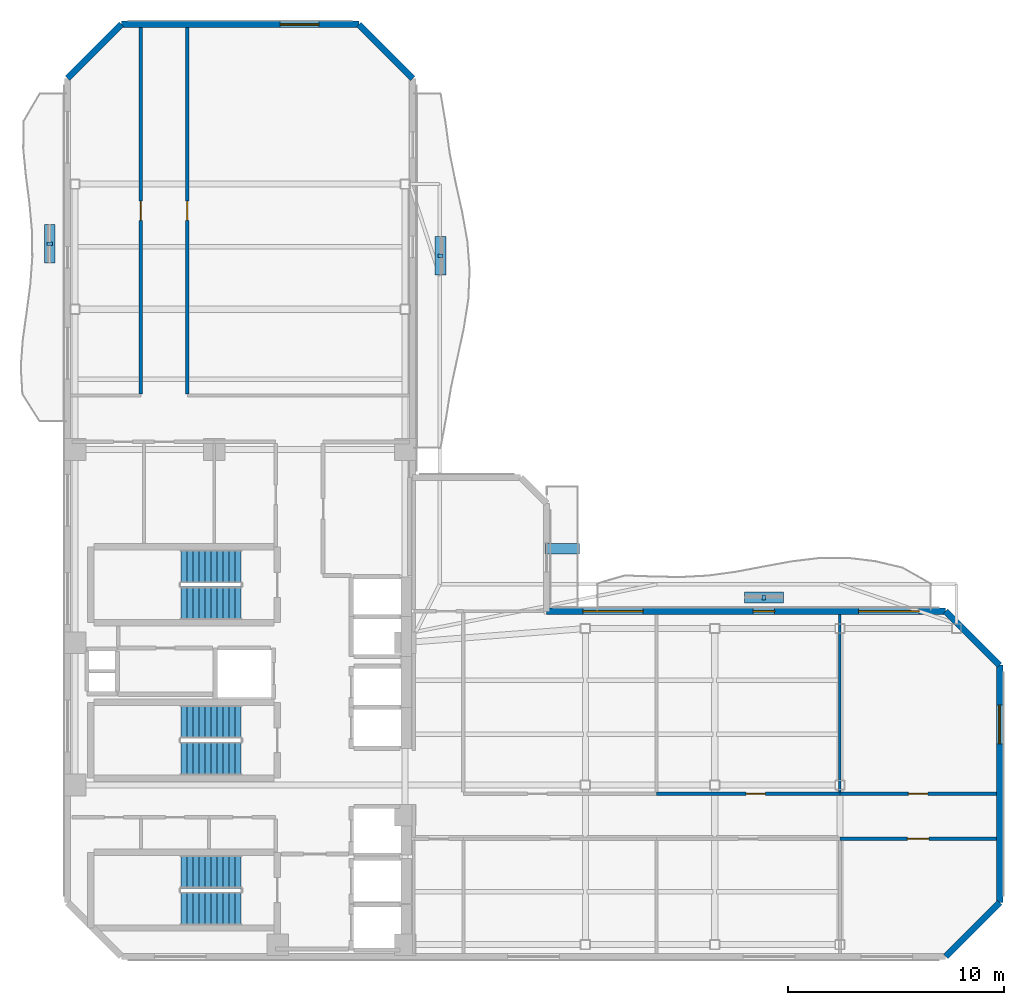
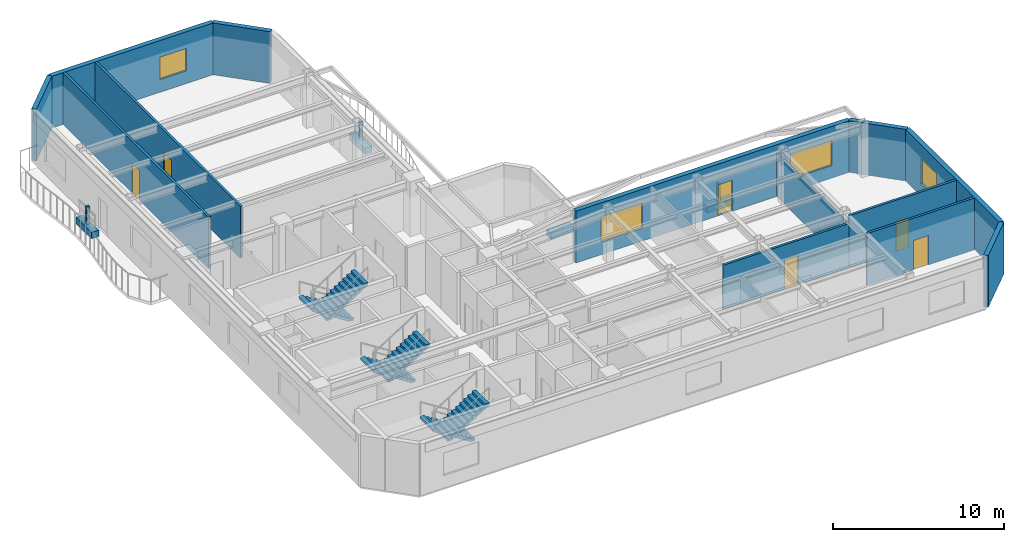
# One storey, part 5 of 11: 13 walls, 7 discrete accessories, 6 doors, 6 stair flights, 4 windows, 10 openings, 3 elements without a shape of their own.
"""IFC4 building model written with IfcOpenShell, lengths in metres."""

from ifc_helpers import new_model, si_unit, direction, frame, frame_2d, origin, origin_2d, place, context, subcontext, project, spatial, polyline, rectangle, outline, extrude, material, layer, layer_set, type_object, element, fill, aggregate, save


model = new_model("IFC4")

# Units and contexts
model_context = context("Model", 3, precision=1e-05, world=origin(), true_north=direction((0.0, 1.0)))
body_context = subcontext(model_context, "Body", "Model", "MODEL_VIEW")
ifc_project = project(units=[si_unit("LENGTHUNIT", "METRE"), si_unit("AREAUNIT", "SQUARE_METRE"), si_unit("VOLUMEUNIT", "CUBIC_METRE"), si_unit("PLANEANGLEUNIT", "RADIAN"), si_unit("MASSUNIT", "GRAM", prefix="KILO")], contexts=[model_context])

# Site, building, storey
site_placement = place(None, origin())
site = spatial("IfcSite", under=ifc_project, at=site_placement, CompositionType="ELEMENT")
building_placement = place(site_placement, origin())
building = spatial("IfcBuilding", under=site, at=building_placement, Name="Mawjaban Terraces University", CompositionType="ELEMENT")
storey_placement = place(building_placement, frame((0.0, 0.0, 214.800048828125)))
storey = spatial("IfcBuildingStorey", under=building, at=storey_placement, Name="L52", CompositionType="ELEMENT", Elevation=214.800048828125)

# Wall, opening, door
ifc_material_1 = material(Name="Fire-rated gypsum board on steel stud", Category="steel")
ifc_layer_1 = layer(ifc_material_1, 0.159912109375)
ifc_layer_set_1 = layer_set([ifc_layer_1], Name="Fire-rated gypsum board on steel stud")
wall_type_1 = type_object("IfcWallType", Name="CorridorPartition_160", PredefinedType="PARTITIONING", material=ifc_layer_set_1)
wall_1_placement = place(storey_placement, frame((57.800048828125, 5.449951171875, 0.0), z_axis=(0.0, 0.0, 1.0), x_axis=(1.0, 0.0, 0.0)))
wall_1 = element("IfcWall", 1, at=wall_1_placement, inside=storey, type_object=wall_type_1, Name="L52 South Shifted Academic Corridor Partition 21", PredefinedType="PARTITIONING", context=body_context, shape_type="SweptSolid", body=[
    extrude(rectangle(XDim=7.2548828125, YDim=0.159912109375, at=frame_2d((3.62744140625, 0.0))), origin(), (0.0, 0.0, 1.0), 3.68994140625),
])
opening_1_placement = place(wall_1_placement, frame((3.1279296875, 0.0, 0.0)))
opening_1 = element("IfcOpeningElement", 2, at=opening_1_placement, cuts=wall_1, Name="Opening ID-100", PredefinedType="OPENING", context=body_context, shape_type="SweptSolid", body=[
    extrude(rectangle(XDim=1.0, YDim=2.10009765625, at=frame_2d((0.5, 1.050048828125))), frame((0.0, 0.08984375, 0.0), z_axis=(0.0, -1.0, 0.0), x_axis=(1.0, 0.0, 0.0)), (0.0, 0.0, 1.0), 0.179931640625),
])
ifc_material_2 = material(Name="Powder-coated steel frame and solid acoustic timber leaf", Category="steel")
door_type_1 = type_object("IfcDoorType", Name="ClassroomDoor_1000x2100", OperationType="NOTDEFINED", PredefinedType="DOOR", material=ifc_material_2)
door_1_placement = place(opening_1_placement, origin())
door_1 = element("IfcDoor", 3, at=door_1_placement, inside=storey, type_object=door_type_1, Name="L52 Classroom 6 Door", OperationType="SINGLE_SWING_RIGHT", OverallHeight=2.10009765625, OverallWidth=1.0, PredefinedType="DOOR", context=body_context, shape_type="SweptSolid", body=[
    extrude(rectangle(XDim=1.0, YDim=2.10009765625, at=frame_2d((0.5, 1.050048828125))), frame((0.0, 0.02490234375, 0.0), z_axis=(0.0, -1.0, 0.0), x_axis=(1.0, 0.0, 0.0)), (0.0, 0.0, 1.0), 0.050048828125),
])
fill(opening_1, door_1)

wall_2_placement = place(storey_placement, frame((57.800048828125, 7.550048828125, 0.0), z_axis=(0.0, 0.0, 1.0), x_axis=(-1.0, 0.0, 0.0)))
wall_2 = element("IfcWall", 4, at=wall_2_placement, inside=storey, type_object=wall_type_1, Name="L52 South Shifted Academic Corridor Partition 22", PredefinedType="PARTITIONING", context=body_context, shape_type="SweptSolid", body=[
    extrude(rectangle(XDim=8.5, YDim=0.159912109375, at=frame_2d((4.25, 0.0))), origin(), (0.0, 0.0, 1.0), 3.138916015625),
])
opening_2_placement = place(wall_2_placement, frame((3.449951171875, 0.0, 0.0)))
opening_2 = element("IfcOpeningElement", 5, at=opening_2_placement, cuts=wall_2, Name="Opening ID-090", PredefinedType="OPENING", context=body_context, shape_type="SweptSolid", body=[
    extrude(rectangle(XDim=0.89990234375, YDim=2.10009765625, at=frame_2d((0.449951171875, 1.050048828125))), frame((0.0, 0.08984375, 0.0), z_axis=(0.0, -1.0, 0.0), x_axis=(1.0, 0.0, 0.0)), (0.0, 0.0, 1.0), 0.179931640625),
])
door_type_2 = type_object("IfcDoorType", Name="OfficeDoor_900x2100", OperationType="NOTDEFINED", PredefinedType="DOOR", material=ifc_material_2)
door_2_placement = place(opening_2_placement, origin())
door_2 = element("IfcDoor", 6, at=door_2_placement, inside=storey, type_object=door_type_2, Name="L52 Collaborative Study Room 5 Door", OperationType="SINGLE_SWING_LEFT", OverallHeight=2.10009765625, OverallWidth=0.89990234375, PredefinedType="DOOR", context=body_context, shape_type="SweptSolid", body=[
    extrude(rectangle(XDim=0.89990234375, YDim=2.10009765625, at=frame_2d((0.449951171875, 1.050048828125))), frame((0.0, 0.02490234375, 0.0), z_axis=(0.0, -1.0, 0.0), x_axis=(1.0, 0.0, 0.0)), (0.0, 0.0, 1.0), 0.050048828125),
])
fill(opening_2, door_2)

wall_3_placement = place(storey_placement, frame((65.054931640625, 7.550048828125, 0.0), z_axis=(0.0, 0.0, 1.0), x_axis=(-1.0, 0.0, 0.0)))
wall_3 = element("IfcWall", 7, at=wall_3_placement, inside=storey, type_object=wall_type_1, Name="L52 South Shifted Academic Corridor Partition 23", PredefinedType="PARTITIONING", context=body_context, shape_type="SweptSolid", body=[
    extrude(rectangle(XDim=7.2548828125, YDim=0.159912109375, at=frame_2d((3.62744140625, 0.0))), origin(), (0.0, 0.0, 1.0), 3.68994140625),
])
opening_3_placement = place(wall_3_placement, frame((3.177978515625, 0.0, 0.0)))
opening_3 = element("IfcOpeningElement", 8, at=opening_3_placement, cuts=wall_3, Name="Opening ID-090", PredefinedType="OPENING", context=body_context, shape_type="SweptSolid", body=[
    extrude(rectangle(XDim=0.89990234375, YDim=2.10009765625, at=frame_2d((0.449951171875, 1.050048828125))), frame((0.0, 0.08984375, 0.0), z_axis=(0.0, -1.0, 0.0), x_axis=(1.0, 0.0, 0.0)), (0.0, 0.0, 1.0), 0.179931640625),
])
door_3_placement = place(opening_3_placement, origin())
door_3 = element("IfcDoor", 9, at=door_3_placement, inside=storey, type_object=door_type_2, Name="L52 Seminar Room 7 Door", OperationType="SINGLE_SWING_LEFT", OverallHeight=2.10009765625, OverallWidth=0.89990234375, PredefinedType="DOOR", context=body_context, shape_type="SweptSolid", body=[
    extrude(rectangle(XDim=0.89990234375, YDim=2.10009765625, at=frame_2d((0.449951171875, 1.050048828125))), frame((0.0, 0.02490234375, 0.0), z_axis=(0.0, -1.0, 0.0), x_axis=(1.0, 0.0, 0.0)), (0.0, 0.0, 1.0), 0.050048828125),
])
fill(opening_3, door_3)

wall_4_placement = place(storey_placement, frame((25.39990234375, 43.054931640625, 0.0), z_axis=(0.0, 0.0, 1.0), x_axis=(0.0, -1.0, 0.0)))
wall_4 = element("IfcWall", 10, at=wall_4_placement, inside=storey, type_object=wall_type_1, Name="L52 West Shifted Academic Corridor Partition 26", PredefinedType="PARTITIONING", context=body_context, shape_type="SweptSolid", body=[
    extrude(rectangle(XDim=16.97998046875, YDim=0.159912109375, at=frame_2d((8.489990234375, 0.0))), origin(), (0.0, 0.0, 1.0), 3.68994140625),
])
opening_4_placement = place(wall_4_placement, frame((8.0400390625, 0.0, 0.0)))
opening_4 = element("IfcOpeningElement", 11, at=opening_4_placement, cuts=wall_4, Name="Opening ID-090", PredefinedType="OPENING", context=body_context, shape_type="SweptSolid", body=[
    extrude(rectangle(XDim=0.89990234375, YDim=2.10009765625, at=frame_2d((0.449951171875, 1.050048828125))), frame((0.0, 0.08984375, 0.0), z_axis=(0.0, -1.0, 0.0), x_axis=(1.0, 0.0, 0.0)), (0.0, 0.0, 1.0), 0.179931640625),
])
door_4_placement = place(opening_4_placement, origin())
door_4 = element("IfcDoor", 12, at=door_4_placement, inside=storey, type_object=door_type_2, Name="L52 Collaborative Study Room 8 Door", OperationType="SINGLE_SWING_RIGHT", OverallHeight=2.10009765625, OverallWidth=0.89990234375, PredefinedType="DOOR", context=body_context, shape_type="SweptSolid", body=[
    extrude(rectangle(XDim=0.89990234375, YDim=2.10009765625, at=frame_2d((0.449951171875, 1.050048828125))), frame((0.0, 0.02490234375, 0.0), z_axis=(0.0, -1.0, 0.0), x_axis=(1.0, 0.0, 0.0)), (0.0, 0.0, 1.0), 0.050048828125),
])
fill(opening_4, door_4)

wall_5_placement = place(storey_placement, frame((27.550048828125, 26.074951171875, 0.0), z_axis=(0.0, 0.0, 1.0), x_axis=(0.0, 1.0, 0.0)))
wall_5 = element("IfcWall", 13, at=wall_5_placement, inside=storey, type_object=wall_type_1, Name="L52 West Shifted Academic Corridor Partition 28", PredefinedType="PARTITIONING", context=body_context, shape_type="SweptSolid", body=[
    extrude(rectangle(XDim=16.97998046875, YDim=0.159912109375, at=frame_2d((8.489990234375, 0.0))), origin(), (0.0, 0.0, 1.0), 3.68994140625),
])
opening_5_placement = place(wall_5_placement, frame((8.0400390625, 0.0, 0.0)))
opening_5 = element("IfcOpeningElement", 14, at=opening_5_placement, cuts=wall_5, Name="Opening ID-090", PredefinedType="OPENING", context=body_context, shape_type="SweptSolid", body=[
    extrude(rectangle(XDim=0.89990234375, YDim=2.10009765625, at=frame_2d((0.449951171875, 1.050048828125))), frame((0.0, 0.08984375, 0.0), z_axis=(0.0, -1.0, 0.0), x_axis=(1.0, 0.0, 0.0)), (0.0, 0.0, 1.0), 0.179931640625),
])
door_5_placement = place(opening_5_placement, origin())
door_5 = element("IfcDoor", 15, at=door_5_placement, inside=storey, type_object=door_type_2, Name="L52 Collaborative Study Room 9 Door", OperationType="SINGLE_SWING_LEFT", OverallHeight=2.10009765625, OverallWidth=0.89990234375, PredefinedType="DOOR", context=body_context, shape_type="SweptSolid", body=[
    extrude(rectangle(XDim=0.89990234375, YDim=2.10009765625, at=frame_2d((0.449951171875, 1.050048828125))), frame((0.0, 0.02490234375, 0.0), z_axis=(0.0, -1.0, 0.0), x_axis=(1.0, 0.0, 0.0)), (0.0, 0.0, 1.0), 0.050048828125),
])
fill(opening_5, door_5)

# Wall
ifc_material_3 = material(Name="Insulated terracotta rainscreen on concrete backup C40/50", Category="masonry")
ifc_layer_2 = layer(ifc_material_3, 0.300048828125)
ifc_layer_set_2 = layer_set([ifc_layer_2], Name="Insulated terracotta rainscreen on concrete backup C40/50")
wall_type_2 = type_object("IfcWallType", Name="ExtTerracottaWall_300", PredefinedType="SOLIDWALL", material=ifc_layer_set_2)
wall_6_placement = place(storey_placement, frame((62.699951171875, 0.0, 0.0), z_axis=(0.0, 0.0, 1.0), x_axis=(0.707106781187, 0.707106781187, 0.0)))
element("IfcWall", 16, at=wall_6_placement, inside=storey, type_object=wall_type_2, Name="L52 Exterior Terracotta Wall 2", PredefinedType="SOLIDWALL", context=body_context, shape_type="SweptSolid", body=[
    extrude(rectangle(XDim=3.53564453125, YDim=0.300048828125, at=frame_2d((1.767822265625, 0.0))), origin(), (0.0, 0.0, 1.0), 3.68994140625),
])

# Wall, opening, window
wall_7_placement = place(storey_placement, frame((65.199951171875, 2.5, 0.0), z_axis=(0.0, 0.0, 1.0), x_axis=(0.0, 1.0, 0.0)))
wall_7 = element("IfcWall", 17, at=wall_7_placement, inside=storey, type_object=wall_type_2, Name="L52 Exterior Terracotta Wall 3", PredefinedType="SOLIDWALL", context=body_context, shape_type="SweptSolid", body=[
    extrude(rectangle(XDim=11.0, YDim=0.300048828125, at=frame_2d((5.5, 0.0))), origin(), (0.0, 0.0, 1.0), 3.68994140625),
])
opening_6_placement = place(wall_7_placement, frame((7.35009765625, 0.0, 0.89990234375)))
opening_6 = element("IfcOpeningElement", 18, at=opening_6_placement, cuts=wall_7, Name="Opening W-07", PredefinedType="OPENING", context=body_context, shape_type="SweptSolid", body=[
    extrude(rectangle(XDim=1.800048828125, YDim=1.800048828125, at=frame_2d((0.89990234375, 0.89990234375))), frame((0.0, 0.159912109375, 0.0), z_axis=(0.0, -1.0, 0.0), x_axis=(1.0, 0.0, 0.0)), (0.0, 0.0, 1.0), 0.320068359375),
])
ifc_material_4 = material(Name="Low-E solar-control double glazing in thermally broken aluminium frame", Category="aluminium")
window_type_1 = type_object("IfcWindowType", Name="Win_1800x1800", PartitioningType="SINGLE_PANEL", PredefinedType="WINDOW", material=ifc_material_4)
window_1_placement = place(opening_6_placement, origin())
window_1 = element("IfcWindow", 19, at=window_1_placement, inside=storey, type_object=window_type_1, Name="L52 Facade Window 3.2", OverallHeight=1.800048828125, OverallWidth=1.800048828125, PartitioningType="SINGLE_PANEL", PredefinedType="WINDOW", context=body_context, shape_type="SweptSolid", body=[
    extrude(rectangle(XDim=1.800048828125, YDim=1.800048828125, at=frame_2d((0.89990234375, 0.89990234375))), frame((0.0, 0.030029296875, 0.0), z_axis=(0.0, -1.0, 0.0), x_axis=(1.0, 0.0, 0.0)), (0.0, 0.0, 1.0), 0.06005859375),
])
fill(opening_6, window_1)

# Wall
wall_8_placement = place(storey_placement, frame((65.199951171875, 13.5, 0.0), z_axis=(0.0, 0.0, 1.0), x_axis=(-0.707106781187, 0.707106781187, 0.0)))
element("IfcWall", 20, at=wall_8_placement, inside=storey, type_object=wall_type_2, Name="L52 Exterior Terracotta Wall 4", PredefinedType="SOLIDWALL", context=body_context, shape_type="SweptSolid", body=[
    extrude(rectangle(XDim=3.53564453125, YDim=0.300048828125, at=frame_2d((1.767822265625, 0.0))), origin(), (0.0, 0.0, 1.0), 3.68994140625),
])

# Wall, openings, door, windows
wall_9_placement = place(storey_placement, frame((62.699951171875, 16.0, 0.0), z_axis=(0.0, 0.0, 1.0), x_axis=(-1.0, 0.0, 0.0)))
wall_9 = element("IfcWall", 21, at=wall_9_placement, inside=storey, type_object=wall_type_2, Name="L52 Exterior Terracotta Wall 5", PredefinedType="SOLIDWALL", context=body_context, shape_type="SweptSolid", body=[
    extrude(rectangle(XDim=18.5, YDim=0.300048828125, at=frame_2d((9.25, 0.0))), origin(), (0.0, 0.0, 1.0), 3.68994140625),
])
opening_7_placement = place(wall_9_placement, frame((7.925048828125, 0.0, 0.0)))
opening_7 = element("IfcOpeningElement", 22, at=opening_7_placement, cuts=wall_9, Name="Opening BD-100", PredefinedType="OPENING", context=body_context, shape_type="SweptSolid", body=[
    extrude(rectangle(XDim=1.0, YDim=2.199951171875, at=frame_2d((0.5, 1.10009765625))), frame((0.0, 0.159912109375, 0.0), z_axis=(0.0, -1.0, 0.0), x_axis=(1.0, 0.0, 0.0)), (0.0, 0.0, 1.0), 0.320068359375),
])
opening_8_placement = place(wall_9_placement, frame((1.23291015625, 0.0, 0.89990234375)))
opening_8 = element("IfcOpeningElement", 23, at=opening_8_placement, cuts=wall_9, Name="Opening W-09", PredefinedType="OPENING", context=body_context, shape_type="SweptSolid", body=[
    extrude(rectangle(XDim=2.800048828125, YDim=1.800048828125, at=frame_2d((1.39990234375, 0.89990234375))), frame((0.0, 0.159912109375, 0.0), z_axis=(0.0, -1.0, 0.0), x_axis=(1.0, 0.0, 0.0)), (0.0, 0.0, 1.0), 0.320068359375),
])
opening_9_placement = place(wall_9_placement, frame((14.01708984375, 0.0, 0.89990234375)))
opening_9 = element("IfcOpeningElement", 24, at=opening_9_placement, cuts=wall_9, Name="Opening W-09", PredefinedType="OPENING", context=body_context, shape_type="SweptSolid", body=[
    extrude(rectangle(XDim=2.800048828125, YDim=1.800048828125, at=frame_2d((1.39990234375, 0.89990234375))), frame((0.0, 0.159912109375, 0.0), z_axis=(0.0, -1.0, 0.0), x_axis=(1.0, 0.0, 0.0)), (0.0, 0.0, 1.0), 0.320068359375),
])
ifc_material_5 = material(Name="Thermally broken anodised aluminium and laminated safety glass", Category="aluminium")
door_type_3 = type_object("IfcDoorType", Name="BalconyGlazedDoor_1000x2200", OperationType="NOTDEFINED", PredefinedType="DOOR", material=ifc_material_5)
door_6_placement = place(opening_7_placement, origin())
door_6 = element("IfcDoor", 25, at=door_6_placement, inside=storey, type_object=door_type_3, Name="L52 Balcony Access Door inner_north", OperationType="SINGLE_SWING_LEFT", OverallHeight=2.199951171875, OverallWidth=1.0, PredefinedType="DOOR", context=body_context, shape_type="SweptSolid", body=[
    extrude(rectangle(XDim=1.0, YDim=2.199951171875, at=frame_2d((0.5, 1.10009765625))), frame((0.0, 0.02490234375, 0.0), z_axis=(0.0, -1.0, 0.0), x_axis=(1.0, 0.0, 0.0)), (0.0, 0.0, 1.0), 0.050048828125),
])
fill(opening_7, door_6)
window_type_2 = type_object("IfcWindowType", Name="Win_2800x1800", PartitioningType="SINGLE_PANEL", PredefinedType="WINDOW", material=ifc_material_4)
window_2_placement = place(opening_8_placement, origin())
window_2 = element("IfcWindow", 26, at=window_2_placement, inside=storey, type_object=window_type_2, Name="L52 Facade Window 5.1", OverallHeight=1.800048828125, OverallWidth=2.800048828125, PartitioningType="SINGLE_PANEL", PredefinedType="WINDOW", context=body_context, shape_type="SweptSolid", body=[
    extrude(rectangle(XDim=2.800048828125, YDim=1.800048828125, at=frame_2d((1.39990234375, 0.89990234375))), frame((0.0, 0.030029296875, 0.0), z_axis=(0.0, -1.0, 0.0), x_axis=(1.0, 0.0, 0.0)), (0.0, 0.0, 1.0), 0.06005859375),
])
fill(opening_8, window_2)
window_3_placement = place(opening_9_placement, origin())
window_3 = element("IfcWindow", 27, at=window_3_placement, inside=storey, type_object=window_type_2, Name="L52 Facade Window 5.3", OverallHeight=1.800048828125, OverallWidth=2.800048828125, PartitioningType="SINGLE_PANEL", PredefinedType="WINDOW", context=body_context, shape_type="SweptSolid", body=[
    extrude(rectangle(XDim=2.800048828125, YDim=1.800048828125, at=frame_2d((1.39990234375, 0.89990234375))), frame((0.0, 0.030029296875, 0.0), z_axis=(0.0, -1.0, 0.0), x_axis=(1.0, 0.0, 0.0)), (0.0, 0.0, 1.0), 0.06005859375),
])
fill(opening_9, window_3)

# Wall
wall_10_placement = place(storey_placement, frame((38.0, 40.699951171875, 0.0), z_axis=(0.0, 0.0, 1.0), x_axis=(-0.707106781187, 0.707106781187, 0.0)))
element("IfcWall", 28, at=wall_10_placement, inside=storey, type_object=wall_type_2, Name="L52 Exterior Terracotta Wall 10", PredefinedType="SOLIDWALL", context=body_context, shape_type="SweptSolid", body=[
    extrude(rectangle(XDim=3.53564453125, YDim=0.300048828125, at=frame_2d((1.767822265625, 0.0))), origin(), (0.0, 0.0, 1.0), 3.68994140625),
])

# Wall, opening, window
wall_11_placement = place(storey_placement, frame((35.5, 43.199951171875, 0.0), z_axis=(0.0, 0.0, 1.0), x_axis=(-1.0, 0.0, 0.0)))
wall_11 = element("IfcWall", 29, at=wall_11_placement, inside=storey, type_object=wall_type_2, Name="L52 Exterior Terracotta Wall 11", PredefinedType="SOLIDWALL", context=body_context, shape_type="SweptSolid", body=[
    extrude(rectangle(XDim=11.0, YDim=0.300048828125, at=frame_2d((5.5, 0.0))), origin(), (0.0, 0.0, 1.0), 3.68994140625),
])
opening_10_placement = place(wall_11_placement, frame((1.85009765625, 0.0, 0.89990234375)))
opening_10 = element("IfcOpeningElement", 30, at=opening_10_placement, cuts=wall_11, Name="Opening W-03", PredefinedType="OPENING", context=body_context, shape_type="SweptSolid", body=[
    extrude(rectangle(XDim=1.800048828125, YDim=1.60009765625, at=frame_2d((0.89990234375, 0.800048828125))), frame((0.0, 0.159912109375, 0.0), z_axis=(0.0, -1.0, 0.0), x_axis=(1.0, 0.0, 0.0)), (0.0, 0.0, 1.0), 0.320068359375),
])
window_type_3 = type_object("IfcWindowType", Name="Win_1800x1600", PartitioningType="SINGLE_PANEL", PredefinedType="WINDOW", material=ifc_material_4)
window_4_placement = place(opening_10_placement, origin())
window_4 = element("IfcWindow", 31, at=window_4_placement, inside=storey, type_object=window_type_3, Name="L52 Facade Window 11.1", OverallHeight=1.60009765625, OverallWidth=1.800048828125, PartitioningType="SINGLE_PANEL", PredefinedType="WINDOW", context=body_context, shape_type="SweptSolid", body=[
    extrude(rectangle(XDim=1.800048828125, YDim=1.60009765625, at=frame_2d((0.89990234375, 0.800048828125))), frame((0.0, 0.030029296875, 0.0), z_axis=(0.0, -1.0, 0.0), x_axis=(1.0, 0.0, 0.0)), (0.0, 0.0, 1.0), 0.06005859375),
])
fill(opening_10, window_4)

# Walls
wall_12_placement = place(storey_placement, frame((24.5, 43.199951171875, 0.0), z_axis=(0.0, 0.0, 1.0), x_axis=(-0.707106781187, -0.707106781187, 0.0)))
element("IfcWall", 32, at=wall_12_placement, inside=storey, type_object=wall_type_2, Name="L52 Exterior Terracotta Wall 12", PredefinedType="SOLIDWALL", context=body_context, shape_type="SweptSolid", body=[
    extrude(rectangle(XDim=3.53564453125, YDim=0.300048828125, at=frame_2d((1.767822265625, 0.0))), origin(), (0.0, 0.0, 1.0), 3.68994140625),
])
ifc_material_6 = material(Name="Acoustic operable panel partition", Category="masonry")
ifc_layer_3 = layer(ifc_material_6, 0.110107421875)
ifc_layer_set_3 = layer_set([ifc_layer_3], Name="Acoustic operable panel partition")
wall_type_3 = type_object("IfcWallType", Name="OperableSeminarWall_110", PredefinedType="MOVABLE", material=ifc_layer_set_3)
wall_13_placement = place(storey_placement, frame((57.800048828125, 7.625, 0.0), z_axis=(0.0, 0.0, 1.0), x_axis=(0.0, 1.0, 0.0)))
element("IfcWall", 33, at=wall_13_placement, inside=storey, type_object=wall_type_3, Name="L52 Collaborative Study Room 5 Partition 44", PredefinedType="MOVABLE", context=body_context, shape_type="SweptSolid", body=[
    extrude(rectangle(XDim=8.22998046875, YDim=0.110107421875, at=frame_2d((4.114990234375, 0.0))), origin(), (0.0, 0.0, 1.0), 3.138916015625),
])

# Stair, stair flights
ifc_material_7 = material(Name="Concrete C40/50", Category="concrete")
stair_type = type_object("IfcStairType", Name="Stair_Core1550_H39", PredefinedType="HALF_TURN_STAIR", material=ifc_material_7)
stair_1_placement = place(storey_placement, origin())
stair_1 = element("IfcStair", 34, at=stair_1_placement, inside=storey, type_object=stair_type, Name="L52 Core Exit Stair 1", PredefinedType="HALF_TURN_STAIR")
stair_flight_type = type_object("IfcStairFlightType", Name="Flight_Core1550_H39", PredefinedType="STRAIGHT", material=ifc_material_7)
stair_flight_1_placement = place(storey_placement, frame((30.050048828125, 3.925048828125, 0.0), z_axis=(0.0, 0.0, 1.0), x_axis=(-1.0, 0.0, 0.0)))
stair_flight_1 = element("IfcStairFlight", 35, at=stair_flight_1_placement, type_object=stair_flight_type, Name="ST-1 flight 1", NumberOfRisers=11, NumberOfTreads=10, PredefinedType="STRAIGHT", RiserHeight=0.177272727, TreadLength=0.28, context=body_context, shape_type="SweptSolid", body=[
    extrude(outline(polyline([(0.0, 0.0), (0.0, 0.17724609375), (0.280029296875, 0.17724609375), (0.280029296875, 0.3544921875), (0.56005859375, 0.3544921875), (0.56005859375, 0.53173828125), (0.840087890625, 0.53173828125), (0.840087890625, 0.708984375), (1.1201171875, 0.708984375), (1.1201171875, 0.886474609375), (1.39990234375, 0.886474609375), (1.39990234375, 1.063720703125), (1.679931640625, 1.063720703125), (1.679931640625, 1.240966796875), (1.9599609375, 1.240966796875), (1.9599609375, 1.418212890625), (2.239990234375, 1.418212890625), (2.239990234375, 1.595458984375), (2.52001953125, 1.595458984375), (2.52001953125, 1.772705078125), (2.800048828125, 1.772705078125), (2.800048828125, 1.949951171875), (2.800048828125, 1.59521484375), (0.2802734375, 0.0), (0.0, 0.0)])), frame((0.0, 0.77490234375, 0.0), z_axis=(0.0, -1.0, 0.0), x_axis=(1.0, 0.0, 0.0)), (0.0, 0.0, 1.0), 1.550048828125),
])
stair_flight_2_placement = place(storey_placement, frame((27.25, 2.22509765625, 1.949951171875), z_axis=(0.0, 0.0, 1.0), x_axis=(1.0, 0.0, 0.0)))
stair_flight_2 = element("IfcStairFlight", 36, at=stair_flight_2_placement, type_object=stair_flight_type, Name="ST-1 flight 2", NumberOfRisers=11, NumberOfTreads=10, PredefinedType="STRAIGHT", RiserHeight=0.177272727, TreadLength=0.28, context=body_context, shape_type="SweptSolid", body=[
    extrude(outline(polyline([(0.0, 0.0), (0.0, 0.17724609375), (0.280029296875, 0.17724609375), (0.280029296875, 0.3544921875), (0.56005859375, 0.3544921875), (0.56005859375, 0.53173828125), (0.840087890625, 0.53173828125), (0.840087890625, 0.708984375), (1.1201171875, 0.708984375), (1.1201171875, 0.886474609375), (1.39990234375, 0.886474609375), (1.39990234375, 1.063720703125), (1.679931640625, 1.063720703125), (1.679931640625, 1.240966796875), (1.9599609375, 1.240966796875), (1.9599609375, 1.418212890625), (2.239990234375, 1.418212890625), (2.239990234375, 1.595458984375), (2.52001953125, 1.595458984375), (2.52001953125, 1.772705078125), (2.800048828125, 1.772705078125), (2.800048828125, 1.949951171875), (2.800048828125, 1.59521484375), (0.2802734375, 0.0), (0.0, 0.0)])), frame((0.0, 0.77490234375, 0.0), z_axis=(0.0, -1.0, 0.0), x_axis=(1.0, 0.0, 0.0)), (0.0, 0.0, 1.0), 1.550048828125),
])
aggregate(stair_1, [stair_flight_1, stair_flight_2])

stair_2_placement = place(storey_placement, origin())
stair_2 = element("IfcStair", 37, at=stair_2_placement, inside=storey, type_object=stair_type, Name="L52 Core Exit Stair 2", PredefinedType="HALF_TURN_STAIR")
stair_flight_3_placement = place(storey_placement, frame((30.050048828125, 18.074951171875, 0.0), z_axis=(0.0, 0.0, 1.0), x_axis=(-1.0, 0.0, 0.0)))
stair_flight_3 = element("IfcStairFlight", 38, at=stair_flight_3_placement, type_object=stair_flight_type, Name="ST-2 flight 1", NumberOfRisers=11, NumberOfTreads=10, PredefinedType="STRAIGHT", RiserHeight=0.177272727, TreadLength=0.28, context=body_context, shape_type="SweptSolid", body=[
    extrude(outline(polyline([(0.0, 0.0), (0.0, 0.17724609375), (0.280029296875, 0.17724609375), (0.280029296875, 0.3544921875), (0.56005859375, 0.3544921875), (0.56005859375, 0.53173828125), (0.840087890625, 0.53173828125), (0.840087890625, 0.708984375), (1.1201171875, 0.708984375), (1.1201171875, 0.886474609375), (1.39990234375, 0.886474609375), (1.39990234375, 1.063720703125), (1.679931640625, 1.063720703125), (1.679931640625, 1.240966796875), (1.9599609375, 1.240966796875), (1.9599609375, 1.418212890625), (2.239990234375, 1.418212890625), (2.239990234375, 1.595458984375), (2.52001953125, 1.595458984375), (2.52001953125, 1.772705078125), (2.800048828125, 1.772705078125), (2.800048828125, 1.949951171875), (2.800048828125, 1.59521484375), (0.2802734375, 0.0), (0.0, 0.0)])), frame((0.0, 0.77490234375, 0.0), z_axis=(0.0, -1.0, 0.0), x_axis=(1.0, 0.0, 0.0)), (0.0, 0.0, 1.0), 1.550048828125),
])
stair_flight_4_placement = place(storey_placement, frame((27.25, 16.375, 1.949951171875), z_axis=(0.0, 0.0, 1.0), x_axis=(1.0, 0.0, 0.0)))
stair_flight_4 = element("IfcStairFlight", 39, at=stair_flight_4_placement, type_object=stair_flight_type, Name="ST-2 flight 2", NumberOfRisers=11, NumberOfTreads=10, PredefinedType="STRAIGHT", RiserHeight=0.177272727, TreadLength=0.28, context=body_context, shape_type="SweptSolid", body=[
    extrude(outline(polyline([(0.0, 0.0), (0.0, 0.17724609375), (0.280029296875, 0.17724609375), (0.280029296875, 0.3544921875), (0.56005859375, 0.3544921875), (0.56005859375, 0.53173828125), (0.840087890625, 0.53173828125), (0.840087890625, 0.708984375), (1.1201171875, 0.708984375), (1.1201171875, 0.886474609375), (1.39990234375, 0.886474609375), (1.39990234375, 1.063720703125), (1.679931640625, 1.063720703125), (1.679931640625, 1.240966796875), (1.9599609375, 1.240966796875), (1.9599609375, 1.418212890625), (2.239990234375, 1.418212890625), (2.239990234375, 1.595458984375), (2.52001953125, 1.595458984375), (2.52001953125, 1.772705078125), (2.800048828125, 1.772705078125), (2.800048828125, 1.949951171875), (2.800048828125, 1.59521484375), (0.2802734375, 0.0), (0.0, 0.0)])), frame((0.0, 0.77490234375, 0.0), z_axis=(0.0, -1.0, 0.0), x_axis=(1.0, 0.0, 0.0)), (0.0, 0.0, 1.0), 1.550048828125),
])
aggregate(stair_2, [stair_flight_3, stair_flight_4])

stair_3_placement = place(storey_placement, origin())
stair_3 = element("IfcStair", 40, at=stair_3_placement, inside=storey, type_object=stair_type, Name="L52 Core Exit Stair 3", PredefinedType="HALF_TURN_STAIR")
stair_flight_5_placement = place(storey_placement, frame((30.050048828125, 10.875, 0.0), z_axis=(0.0, 0.0, 1.0), x_axis=(-1.0, 0.0, 0.0)))
stair_flight_5 = element("IfcStairFlight", 41, at=stair_flight_5_placement, type_object=stair_flight_type, Name="ST-3 flight 1", NumberOfRisers=11, NumberOfTreads=10, PredefinedType="STRAIGHT", RiserHeight=0.177272727, TreadLength=0.28, context=body_context, shape_type="SweptSolid", body=[
    extrude(outline(polyline([(0.0, 0.0), (0.0, 0.17724609375), (0.280029296875, 0.17724609375), (0.280029296875, 0.3544921875), (0.56005859375, 0.3544921875), (0.56005859375, 0.53173828125), (0.840087890625, 0.53173828125), (0.840087890625, 0.708984375), (1.1201171875, 0.708984375), (1.1201171875, 0.886474609375), (1.39990234375, 0.886474609375), (1.39990234375, 1.063720703125), (1.679931640625, 1.063720703125), (1.679931640625, 1.240966796875), (1.9599609375, 1.240966796875), (1.9599609375, 1.418212890625), (2.239990234375, 1.418212890625), (2.239990234375, 1.595458984375), (2.52001953125, 1.595458984375), (2.52001953125, 1.772705078125), (2.800048828125, 1.772705078125), (2.800048828125, 1.949951171875), (2.800048828125, 1.59521484375), (0.2802734375, 0.0), (0.0, 0.0)])), frame((0.0, 0.77490234375, 0.0), z_axis=(0.0, -1.0, 0.0), x_axis=(1.0, 0.0, 0.0)), (0.0, 0.0, 1.0), 1.550048828125),
])
stair_flight_6_placement = place(storey_placement, frame((27.25, 9.175048828125, 1.949951171875), z_axis=(0.0, 0.0, 1.0), x_axis=(1.0, 0.0, 0.0)))
stair_flight_6 = element("IfcStairFlight", 42, at=stair_flight_6_placement, type_object=stair_flight_type, Name="ST-3 flight 2", NumberOfRisers=11, NumberOfTreads=10, PredefinedType="STRAIGHT", RiserHeight=0.177272727, TreadLength=0.28, context=body_context, shape_type="SweptSolid", body=[
    extrude(outline(polyline([(0.0, 0.0), (0.0, 0.17724609375), (0.280029296875, 0.17724609375), (0.280029296875, 0.3544921875), (0.56005859375, 0.3544921875), (0.56005859375, 0.53173828125), (0.840087890625, 0.53173828125), (0.840087890625, 0.708984375), (1.1201171875, 0.708984375), (1.1201171875, 0.886474609375), (1.39990234375, 0.886474609375), (1.39990234375, 1.063720703125), (1.679931640625, 1.063720703125), (1.679931640625, 1.240966796875), (1.9599609375, 1.240966796875), (1.9599609375, 1.418212890625), (2.239990234375, 1.418212890625), (2.239990234375, 1.595458984375), (2.52001953125, 1.595458984375), (2.52001953125, 1.772705078125), (2.800048828125, 1.772705078125), (2.800048828125, 1.949951171875), (2.800048828125, 1.59521484375), (0.2802734375, 0.0), (0.0, 0.0)])), frame((0.0, 0.77490234375, 0.0), z_axis=(0.0, -1.0, 0.0), x_axis=(1.0, 0.0, 0.0)), (0.0, 0.0, 1.0), 1.550048828125),
])
aggregate(stair_3, [stair_flight_5, stair_flight_6])

# Discrete accessories
ifc_material_8 = material(Name="Stainless steel 316L", Category="steel")
discrete_accessory_type_1 = type_object("IfcDiscreteAccessoryType", Name="FacadeScreenBracket_Steel", PredefinedType="BRACKET", material=ifc_material_8)
for number, where, z_axis, x_axis, name in (
    (43, (21.177978515625, 33.033935546875, 0.419921875), (0.0, 0.0, 1.0), (0.0, 1.0, 0.0), "L52 Balcony Screen Support Bracket west"),
    (44, (54.27490234375, 16.64501953125, 0.419921875), (0.0, 0.0, 1.0), (1.0, 0.0, 0.0), "L52 Balcony Screen Support Bracket inner_north"),
    (45, (39.2919921875, 32.47509765625, 0.419921875), (0.0, 0.0, 1.0), (0.0, 1.0, 0.0), "L52 Balcony Screen Support Bracket inner_east"),
):
    element("IfcDiscreteAccessory", number, at=place(storey_placement, frame(where, z_axis=z_axis, x_axis=x_axis)), inside=storey, type_object=discrete_accessory_type_1, Name=name, PredefinedType="BRACKET", context=body_context, shape_type="SweptSolid", body=[
        extrude(rectangle(XDim=0.159912109375, YDim=0.239990234375, at=origin_2d()), origin(), (0.0, 0.0, 1.0), 1.300048828125),
    ])
ifc_material_9 = material(Name="Precast architectural terracotta planter with engineered planting soil", Category="masonry")
discrete_accessory_type_2 = type_object("IfcDiscreteAccessoryType", Name="IrrigatedPlanterTrough_450", PredefinedType="USERDEFINED", material=ifc_material_9)
for number, where, z_axis, x_axis, name in (
    (46, (21.177978515625, 33.033935546875, -0.0048828125), (0.0, 0.0, 1.0), (0.0, 1.0, 0.0), "L52 Balcony Irrigated Planter west"),
    (47, (54.27490234375, 16.64501953125, -0.0048828125), (0.0, 0.0, 1.0), (1.0, 0.0, 0.0), "L52 Balcony Irrigated Planter inner_north"),
    (48, (39.2919921875, 32.47509765625, -0.0048828125), (0.0, 0.0, 1.0), (0.0, 1.0, 0.0), "L52 Balcony Irrigated Planter inner_east"),
):
    element("IfcDiscreteAccessory", number, at=place(storey_placement, frame(where, z_axis=z_axis, x_axis=x_axis)), inside=storey, type_object=discrete_accessory_type_2, Name=name, ObjectType="PLANTER", PredefinedType="USERDEFINED", context=body_context, shape_type="SweptSolid", body=[
        extrude(rectangle(XDim=1.800048828125, YDim=0.5, at=origin_2d()), origin(), (0.0, 0.0, 1.0), 0.449951171875),
    ])
discrete_accessory_placement = place(storey_placement, frame((44.925048828125, 18.89990234375, -0.0048828125), z_axis=(0.0, 0.0, 1.0), x_axis=(1.0, 0.0, 0.0)))
element("IfcDiscreteAccessory", 49, at=discrete_accessory_placement, inside=storey, type_object=discrete_accessory_type_2, Name="L52 Terrace Planter TER-L52-CLIMB", ObjectType="PLANTER", PredefinedType="USERDEFINED", context=body_context, shape_type="SweptSolid", body=[
    extrude(rectangle(XDim=1.60009765625, YDim=0.5, at=origin_2d()), origin(), (0.0, 0.0, 1.0), 0.449951171875),
])

save(model, "model.ifc")
